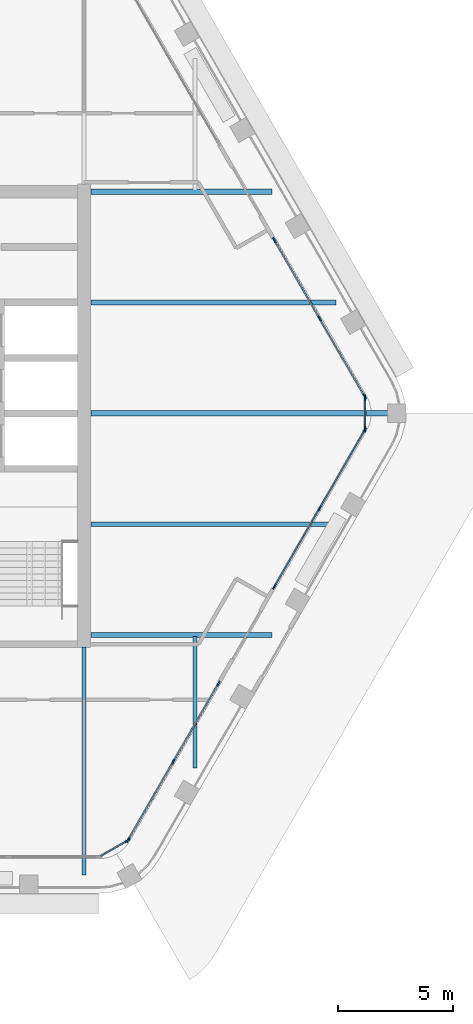
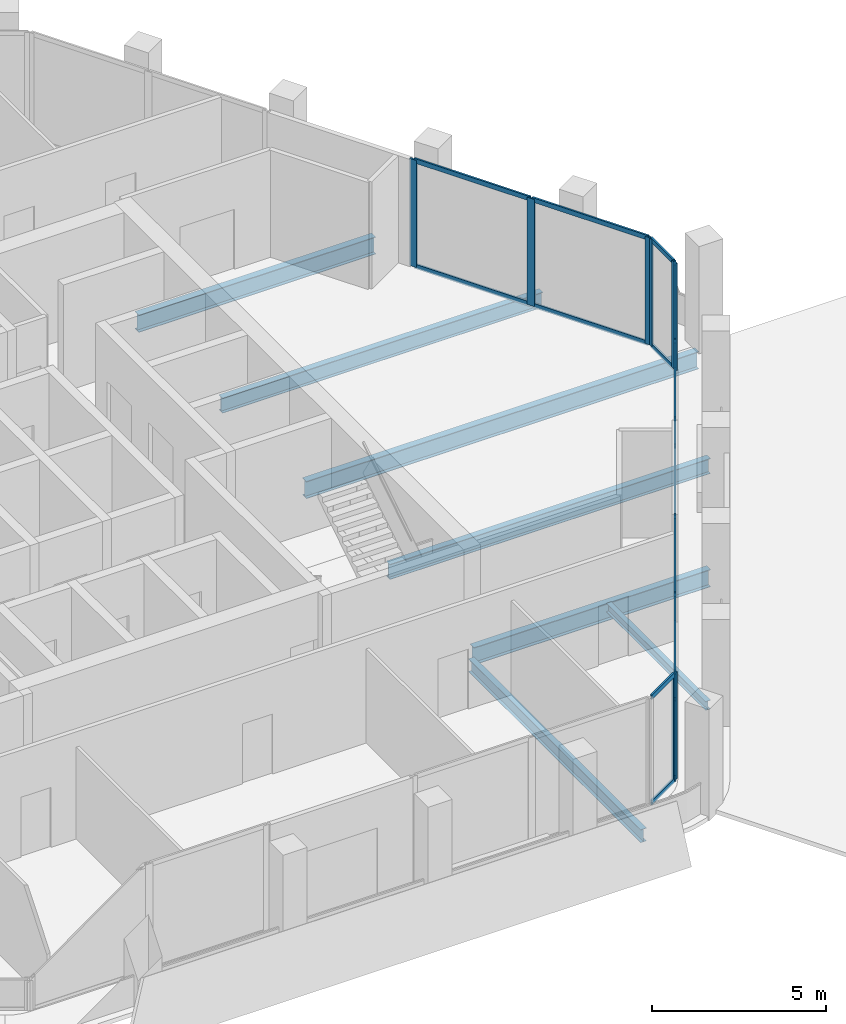
# One storey, part 4 of 14: 28 members, 7 beams, 5 elements without a shape of their own.
"""IFC4 building model written with IfcOpenShell, lengths in metres."""

from ifc_helpers import new_model, si_unit, direction, frame, origin, origin_2d, place, context, subcontext, project, spatial, rectangle, i_section, extrude, material, material_profile, profile_set, type_object, element, aggregate, save


model = new_model("IFC4")

# Units and contexts
model_context = context("Model", 3, precision=1e-05, world=origin(), true_north=direction((0.0, 1.0)))
body_context = subcontext(model_context, "Body", "Model", "MODEL_VIEW")
ifc_project = project(units=[si_unit("LENGTHUNIT", "METRE"), si_unit("AREAUNIT", "SQUARE_METRE"), si_unit("VOLUMEUNIT", "CUBIC_METRE"), si_unit("PLANEANGLEUNIT", "RADIAN"), si_unit("MASSUNIT", "GRAM", prefix="KILO")], contexts=[model_context])

# Site, building, storey
site_placement = place(None, origin())
site = spatial("IfcSite", under=ifc_project, at=site_placement, CompositionType="ELEMENT")
building_placement = place(site_placement, origin())
building = spatial("IfcBuilding", under=site, at=building_placement, Name="Kolab Exchange Tower", CompositionType="ELEMENT")
storey_placement = place(building_placement, frame((0.0, 0.0, 222.800048828125)))
storey = spatial("IfcBuildingStorey", under=building, at=storey_placement, Name="L48", CompositionType="ELEMENT", Elevation=222.800048828125)

# Beams
ifc_material_1 = material(Name="Steel S355", Category="steel")
ifc_material_profile_1 = material_profile(ifc_material_1, i_section(OverallWidth=0.1650390625, OverallDepth=0.31005859375, WebThickness=0.005859375, FlangeThickness=0.009765625, at=origin_2d()), Name="W310X39")
ifc_profile_set_1 = profile_set([ifc_material_profile_1], Name="Steel S355")
beam_type_1 = type_object("IfcBeamType", Name="FLOOR BEAM W310X39", PredefinedType="BEAM", material=ifc_profile_set_1)
beam_1_placement = place(storey_placement, frame((14.39990234375, -15.36767578125, -0.304931640625), z_axis=(0.0, 1.0, 0.0), x_axis=(-1.0, 0.0, 0.0)))
element("IfcBeam", 1, at=beam_1_placement, inside=storey, type_object=beam_type_1, Name="beam/L48/fr/022", PredefinedType="BEAM", context=body_context, shape_type="SweptSolid", body=[
    extrude(i_section(OverallWidth=0.1650390625, OverallDepth=0.31005859375, WebThickness=0.005859375, FlangeThickness=0.009765625, at=origin_2d()), origin(), (0.0, 0.0, 1.0), 5.693603515625),
])
ifc_material_profile_2 = material_profile(ifc_material_1, i_section(OverallWidth=0.18994140625, OverallDepth=0.45703125, WebThickness=0.009033203125, FlangeThickness=0.014404296875, at=origin_2d()), Name="W460X74")
ifc_profile_set_2 = profile_set([ifc_material_profile_2], Name="Steel S355")
beam_type_2 = type_object("IfcBeamType", Name="FLOOR BEAM W460X74", PredefinedType="BEAM", material=ifc_profile_set_2)
beam_2_placement = place(storey_placement, frame((9.60009765625, -19.982421875, -0.378662109375), z_axis=(0.0, 1.0, 0.0), x_axis=(-1.0, 0.0, 0.0)))
element("IfcBeam", 2, at=beam_2_placement, inside=storey, type_object=beam_type_2, Name="beam/L48/fr/017", PredefinedType="BEAM", context=body_context, shape_type="SweptSolid", body=[
    extrude(i_section(OverallWidth=0.18994140625, OverallDepth=0.45703125, WebThickness=0.009033203125, FlangeThickness=0.014404296875, at=origin_2d()), origin(), (0.0, 0.0, 1.0), 9.872314453125),
])
ifc_material_profile_3 = material_profile(ifc_material_1, i_section(OverallWidth=0.208984375, OverallDepth=0.532958984375, WebThickness=0.01025390625, FlangeThickness=0.015625, at=origin_2d()), Name="W530X92")
ifc_profile_set_3 = profile_set([ifc_material_profile_3], Name="Steel S355")
beam_type_3 = type_object("IfcBeamType", Name="FLOOR BEAM W530X92", PredefinedType="BEAM", material=ifc_profile_set_3)
for number, where, z_axis, x_axis, name in (
    (3, (9.909912109375, -4.800048828125, -0.41650390625), (1.0, 0.0, 0.0), (0.0, 1.0, 0.0), "beam/L48/fr/019"),
    (4, (9.909912109375, 4.800048828125, -0.41650390625), (1.0, 0.0, 0.0), (0.0, 1.0, 0.0), "beam/L48/fr/021"),
):
    element("IfcBeam", number, at=place(storey_placement, frame(where, z_axis=z_axis, x_axis=x_axis)), inside=storey, type_object=beam_type_3, Name=name, PredefinedType="BEAM", context=body_context, shape_type="SweptSolid", body=[
        extrude(i_section(OverallWidth=0.208984375, OverallDepth=0.532958984375, WebThickness=0.01025390625, FlangeThickness=0.015625, at=origin_2d()), origin(), (0.0, 0.0, 1.0), 10.6083984375),
    ])
ifc_material_profile_4 = material_profile(ifc_material_1, i_section(OverallWidth=0.22802734375, OverallDepth=0.60791015625, WebThickness=0.01123046875, FlangeThickness=0.017333984375, at=origin_2d()), Name="W610X113")
ifc_profile_set_4 = profile_set([ifc_material_profile_4], Name="Steel S355")
beam_type_4 = type_object("IfcBeamType", Name="FLOOR BEAM W610X113", PredefinedType="BEAM", material=ifc_profile_set_4)
beam_3_placement = place(storey_placement, frame((9.909912109375, 0.0, -0.4541015625), z_axis=(1.0, 0.0, 0.0), x_axis=(0.0, 1.0, 0.0)))
element("IfcBeam", 5, at=beam_3_placement, inside=storey, type_object=beam_type_4, Name="beam/L48/fr/020", PredefinedType="BEAM", context=body_context, shape_type="SweptSolid", body=[
    extrude(i_section(OverallWidth=0.22802734375, OverallDepth=0.60791015625, WebThickness=0.01123046875, FlangeThickness=0.017333984375, at=origin_2d()), origin(), (0.0, 0.0, 1.0), 12.9892578125),
])
ifc_material_profile_5 = material_profile(ifc_material_1, i_section(OverallWidth=0.22802734375, OverallDepth=0.60791015625, WebThickness=0.01123046875, FlangeThickness=0.017333984375, at=origin_2d()), Name="W610X113")
ifc_profile_set_5 = profile_set([ifc_material_profile_5], Name="Steel S355")
beam_type_5 = type_object("IfcBeamType", Name="FLOOR GIRDER W610X113", PredefinedType="BEAM", material=ifc_profile_set_5)
for number, where, z_axis, x_axis, name in (
    (6, (9.909912109375, -9.60009765625, -0.4541015625), (1.0, 0.0, 0.0), (0.0, 1.0, 0.0), "beam/L48/gd/002"),
    (7, (9.909912109375, 9.60009765625, -0.4541015625), (1.0, 0.0, 0.0), (0.0, 1.0, 0.0), "beam/L48/gd/003"),
):
    element("IfcBeam", number, at=place(storey_placement, frame(where, z_axis=z_axis, x_axis=x_axis)), inside=storey, type_object=beam_type_5, Name=name, PredefinedType="BEAM", context=body_context, shape_type="SweptSolid", body=[
        extrude(i_section(OverallWidth=0.22802734375, OverallDepth=0.60791015625, WebThickness=0.01123046875, FlangeThickness=0.017333984375, at=origin_2d()), origin(), (0.0, 0.0, 1.0), 7.8369140625),
    ])

# Curtain wall, members
ifc_material_2 = material(Name="Aluminium EN AW-6063 T6", Category="aluminium")
curtain_wall_type = type_object("IfcCurtainWallType", Name="UNITISED HIGH ZONE CURTAIN WALL", PredefinedType="NOTDEFINED", material=ifc_material_2)
curtain_wall_1_placement = place(storey_placement, origin())
curtain_wall_1 = element("IfcCurtainWall", 8, at=curtain_wall_1_placement, inside=storey, type_object=curtain_wall_type, Name="cw/L48/F2-2", PredefinedType="NOTDEFINED")
ifc_material_profile_6 = material_profile(ifc_material_2, rectangle(XDim=0.06005859375, YDim=0.239990234375, at=origin_2d()), Name="RECT 60X240")
ifc_profile_set_6 = profile_set([ifc_material_profile_6], Name="Aluminium EN AW-6063 T6")
member_type_1 = type_object("IfcMemberType", Name="UNITISED HIGH ZONE MULLION 60 X 240", PredefinedType="MULLION", material=ifc_profile_set_6)
member_1_placement = place(storey_placement, frame((17.8466796875, 7.497802734375, 0.0), z_axis=(0.0, 0.0, 1.0), x_axis=(0.866025440524, 0.499999936366, 0.0)))
member_1 = element("IfcMember", 9, at=member_1_placement, type_object=member_type_1, Name="CW4 mullion 1", PredefinedType="MULLION", context=body_context, shape_type="SweptSolid", body=[
    extrude(rectangle(XDim=0.06005859375, YDim=0.239990234375, at=origin_2d()), origin(), (0.0, 0.0, 1.0), 3.75),
])
member_2_placement = place(storey_placement, frame((19.798583984375, 4.116943359375, 0.0), z_axis=(0.0, 0.0, 1.0), x_axis=(0.866025440524, 0.499999936366, 0.0)))
member_2 = element("IfcMember", 10, at=member_2_placement, type_object=member_type_1, Name="CW4 mullion 2", PredefinedType="MULLION", context=body_context, shape_type="SweptSolid", body=[
    extrude(rectangle(XDim=0.06005859375, YDim=0.239990234375, at=origin_2d()), origin(), (0.0, 0.0, 1.0), 3.75),
])
member_3_placement = place(storey_placement, frame((21.750732421875, 0.736083984375, 0.0), z_axis=(0.0, 0.0, 1.0), x_axis=(0.866025440524, 0.499999936366, 0.0)))
member_3 = element("IfcMember", 11, at=member_3_placement, type_object=member_type_1, Name="CW4 mullion 3", PredefinedType="MULLION", context=body_context, shape_type="SweptSolid", body=[
    extrude(rectangle(XDim=0.06005859375, YDim=0.239990234375, at=origin_2d()), origin(), (0.0, 0.0, 1.0), 3.75),
])

curtain_wall_2_placement = place(storey_placement, origin())
curtain_wall_2 = element("IfcCurtainWall", 12, at=curtain_wall_2_placement, inside=storey, type_object=curtain_wall_type, Name="cw/L48/F3-1", PredefinedType="NOTDEFINED")
member_4_placement = place(storey_placement, frame((21.750732421875, -0.736083984375, 0.0), z_axis=(0.0, 0.0, 1.0), x_axis=(0.866025440524, -0.499999936366, 0.0)))
member_4 = element("IfcMember", 13, at=member_4_placement, type_object=member_type_1, Name="CW4 mullion 1", PredefinedType="MULLION", context=body_context, shape_type="SweptSolid", body=[
    extrude(rectangle(XDim=0.06005859375, YDim=0.239990234375, at=origin_2d()), origin(), (0.0, 0.0, 1.0), 3.75),
])
member_5_placement = place(storey_placement, frame((19.798583984375, -4.116943359375, 0.0), z_axis=(0.0, 0.0, 1.0), x_axis=(0.866025440524, -0.499999936366, 0.0)))
member_5 = element("IfcMember", 14, at=member_5_placement, type_object=member_type_1, Name="CW4 mullion 2", PredefinedType="MULLION", context=body_context, shape_type="SweptSolid", body=[
    extrude(rectangle(XDim=0.06005859375, YDim=0.239990234375, at=origin_2d()), origin(), (0.0, 0.0, 1.0), 3.75),
])
member_6_placement = place(storey_placement, frame((17.8466796875, -7.497802734375, 0.0), z_axis=(0.0, 0.0, 1.0), x_axis=(0.866025440524, -0.499999936366, 0.0)))
member_6 = element("IfcMember", 15, at=member_6_placement, type_object=member_type_1, Name="CW4 mullion 3", PredefinedType="MULLION", context=body_context, shape_type="SweptSolid", body=[
    extrude(rectangle(XDim=0.06005859375, YDim=0.239990234375, at=origin_2d()), origin(), (0.0, 0.0, 1.0), 3.75),
])

curtain_wall_3_placement = place(storey_placement, origin())
curtain_wall_3 = element("IfcCurtainWall", 16, at=curtain_wall_3_placement, inside=storey, type_object=curtain_wall_type, Name="cw/L48/F3-2", PredefinedType="NOTDEFINED")
member_7_placement = place(storey_placement, frame((15.416748046875, -11.706787109375, 0.0), z_axis=(0.0, 0.0, 1.0), x_axis=(0.866025385493, -0.500000031681, 0.0)))
member_7 = element("IfcMember", 17, at=member_7_placement, type_object=member_type_1, Name="CW4 mullion 1", PredefinedType="MULLION", context=body_context, shape_type="SweptSolid", body=[
    extrude(rectangle(XDim=0.06005859375, YDim=0.239990234375, at=origin_2d()), origin(), (0.0, 0.0, 1.0), 3.75),
])
member_8_placement = place(storey_placement, frame((13.464599609375, -15.087646484375, 0.0), z_axis=(0.0, 0.0, 1.0), x_axis=(0.866025385493, -0.500000031681, 0.0)))
member_8 = element("IfcMember", 18, at=member_8_placement, type_object=member_type_1, Name="CW4 mullion 2", PredefinedType="MULLION", context=body_context, shape_type="SweptSolid", body=[
    extrude(rectangle(XDim=0.06005859375, YDim=0.239990234375, at=origin_2d()), origin(), (0.0, 0.0, 1.0), 3.75),
])
member_9_placement = place(storey_placement, frame((11.5126953125, -18.46875, 0.0), z_axis=(0.0, 0.0, 1.0), x_axis=(0.866025385493, -0.500000031681, 0.0)))
member_9 = element("IfcMember", 19, at=member_9_placement, type_object=member_type_1, Name="CW4 mullion 3", PredefinedType="MULLION", context=body_context, shape_type="SweptSolid", body=[
    extrude(rectangle(XDim=0.06005859375, YDim=0.239990234375, at=origin_2d()), origin(), (0.0, 0.0, 1.0), 3.75),
])

curtain_wall_4_placement = place(storey_placement, origin())
curtain_wall_4 = element("IfcCurtainWall", 20, at=curtain_wall_4_placement, inside=storey, type_object=curtain_wall_type, Name="cw/L48/F2F3-corner", PredefinedType="NOTDEFINED")
member_10_placement = place(storey_placement, frame((21.765625, 0.679931640625, 0.0), z_axis=(0.0, 0.0, 1.0), x_axis=(1.0, 0.0, 0.0)))
member_10 = element("IfcMember", 21, at=member_10_placement, type_object=member_type_1, Name="CW4 mullion 1", PredefinedType="MULLION", context=body_context, shape_type="SweptSolid", body=[
    extrude(rectangle(XDim=0.06005859375, YDim=0.239990234375, at=origin_2d()), origin(), (0.0, 0.0, 1.0), 3.75),
])
member_11_placement = place(storey_placement, frame((21.765625, -0.679931640625, 0.0), z_axis=(0.0, 0.0, 1.0), x_axis=(1.0, 0.0, 0.0)))
member_11 = element("IfcMember", 22, at=member_11_placement, type_object=member_type_1, Name="CW4 mullion 2", PredefinedType="MULLION", context=body_context, shape_type="SweptSolid", body=[
    extrude(rectangle(XDim=0.06005859375, YDim=0.239990234375, at=origin_2d()), origin(), (0.0, 0.0, 1.0), 3.75),
])

# Curtain wall, member
curtain_wall_5_placement = place(storey_placement, origin())
curtain_wall_5 = element("IfcCurtainWall", 23, at=curtain_wall_5_placement, inside=storey, type_object=curtain_wall_type, Name="cw/L48/F3F4-corner", PredefinedType="NOTDEFINED")
member_12_placement = place(storey_placement, frame((11.4716796875, -18.509521484375, 0.0), z_axis=(0.0, 0.0, 1.0), x_axis=(0.50000002237, -0.866025390869, 0.0)))
member_12 = element("IfcMember", 24, at=member_12_placement, type_object=member_type_1, Name="CW4 mullion 1", PredefinedType="MULLION", context=body_context, shape_type="SweptSolid", body=[
    extrude(rectangle(XDim=0.06005859375, YDim=0.239990234375, at=origin_2d()), origin(), (0.0, 0.0, 1.0), 3.75),
])

# Member
ifc_material_profile_7 = material_profile(ifc_material_2, rectangle(XDim=0.06005859375, YDim=0.159912109375, at=origin_2d()), Name="RECT 60X160")
ifc_profile_set_7 = profile_set([ifc_material_profile_7], Name="Aluminium EN AW-6063 T6")
member_type_2 = type_object("IfcMemberType", Name="UNITISED HIGH ZONE TRANSOM 60 X 160", PredefinedType="USERDEFINED", material=ifc_profile_set_7)
member_13_placement = place(storey_placement, frame((17.861572265625, 7.471923828125, 0.030029296875), z_axis=(0.500011990396, -0.866018481016, 0.0), x_axis=(0.866018481016, 0.500011990396, 0.0)))
member_13 = element("IfcMember", 25, at=member_13_placement, type_object=member_type_2, Name="CW4 transom 1.1", ObjectType="TRANSOM", PredefinedType="USERDEFINED", context=body_context, shape_type="SweptSolid", body=[
    extrude(rectangle(XDim=0.06005859375, YDim=0.159912109375, at=origin_2d()), origin(), (0.0, 0.0, 1.0), 3.84423828125),
])

member_14_placement = place(storey_placement, frame((17.861572265625, 7.471923828125, 3.719970703125), z_axis=(0.500011990396, -0.866018481016, 0.0), x_axis=(0.866018481016, 0.500011990396, 0.0)))
member_14 = element("IfcMember", 26, at=member_14_placement, type_object=member_type_2, Name="CW4 transom 1.2", ObjectType="TRANSOM", PredefinedType="USERDEFINED", context=body_context, shape_type="SweptSolid", body=[
    extrude(rectangle(XDim=0.06005859375, YDim=0.159912109375, at=origin_2d()), origin(), (0.0, 0.0, 1.0), 3.84423828125),
])

member_15_placement = place(storey_placement, frame((19.813720703125, 4.0908203125, 0.030029296875), z_axis=(0.499991857942, -0.866030104553, 0.0), x_axis=(0.866030104553, 0.499991857942, 0.0)))
member_15 = element("IfcMember", 27, at=member_15_placement, type_object=member_type_2, Name="CW4 transom 2.1", ObjectType="TRANSOM", PredefinedType="USERDEFINED", context=body_context, shape_type="SweptSolid", body=[
    extrude(rectangle(XDim=0.06005859375, YDim=0.159912109375, at=origin_2d()), origin(), (0.0, 0.0, 1.0), 3.84375),
])

member_16_placement = place(storey_placement, frame((19.813720703125, 4.0908203125, 3.719970703125), z_axis=(0.499991857942, -0.866030104553, 0.0), x_axis=(0.866030104553, 0.499991857942, 0.0)))
member_16 = element("IfcMember", 28, at=member_16_placement, type_object=member_type_2, Name="CW4 transom 2.2", ObjectType="TRANSOM", PredefinedType="USERDEFINED", context=body_context, shape_type="SweptSolid", body=[
    extrude(rectangle(XDim=0.06005859375, YDim=0.159912109375, at=origin_2d()), origin(), (0.0, 0.0, 1.0), 3.84375),
])

aggregate(curtain_wall_1, [member_1, member_2, member_3, member_13, member_14, member_15, member_16])

member_17_placement = place(storey_placement, frame((21.735595703125, -0.761962890625, 0.030029296875), z_axis=(-0.499991857942, -0.866030104553, 0.0), x_axis=(0.866030104553, -0.499991857942, 0.0)))
member_17 = element("IfcMember", 29, at=member_17_placement, type_object=member_type_2, Name="CW4 transom 1.1", ObjectType="TRANSOM", PredefinedType="USERDEFINED", context=body_context, shape_type="SweptSolid", body=[
    extrude(rectangle(XDim=0.06005859375, YDim=0.159912109375, at=origin_2d()), origin(), (0.0, 0.0, 1.0), 3.84375),
])

member_18_placement = place(storey_placement, frame((21.735595703125, -0.761962890625, 3.719970703125), z_axis=(-0.499991857942, -0.866030104553, 0.0), x_axis=(0.866030104553, -0.499991857942, 0.0)))
member_18 = element("IfcMember", 30, at=member_18_placement, type_object=member_type_2, Name="CW4 transom 1.2", ObjectType="TRANSOM", PredefinedType="USERDEFINED", context=body_context, shape_type="SweptSolid", body=[
    extrude(rectangle(XDim=0.06005859375, YDim=0.159912109375, at=origin_2d()), origin(), (0.0, 0.0, 1.0), 3.84375),
])

member_19_placement = place(storey_placement, frame((19.78369140625, -4.142822265625, 0.030029296875), z_axis=(-0.500011990396, -0.866018481016, 0.0), x_axis=(0.866018481016, -0.500011990396, 0.0)))
member_19 = element("IfcMember", 31, at=member_19_placement, type_object=member_type_2, Name="CW4 transom 2.1", ObjectType="TRANSOM", PredefinedType="USERDEFINED", context=body_context, shape_type="SweptSolid", body=[
    extrude(rectangle(XDim=0.06005859375, YDim=0.159912109375, at=origin_2d()), origin(), (0.0, 0.0, 1.0), 3.84423828125),
])

member_20_placement = place(storey_placement, frame((19.78369140625, -4.142822265625, 3.719970703125), z_axis=(-0.500011990396, -0.866018481016, 0.0), x_axis=(0.866018481016, -0.500011990396, 0.0)))
member_20 = element("IfcMember", 32, at=member_20_placement, type_object=member_type_2, Name="CW4 transom 2.2", ObjectType="TRANSOM", PredefinedType="USERDEFINED", context=body_context, shape_type="SweptSolid", body=[
    extrude(rectangle(XDim=0.06005859375, YDim=0.159912109375, at=origin_2d()), origin(), (0.0, 0.0, 1.0), 3.84423828125),
])

aggregate(curtain_wall_2, [member_4, member_5, member_6, member_17, member_18, member_19, member_20])

member_21_placement = place(storey_placement, frame((15.401611328125, -11.732666015625, 0.030029296875), z_axis=(-0.499964356602, -0.866045981532, 0.0), x_axis=(0.866045981532, -0.499964356602, 0.0)))
member_21 = element("IfcMember", 33, at=member_21_placement, type_object=member_type_2, Name="CW4 transom 1.1", ObjectType="TRANSOM", PredefinedType="USERDEFINED", context=body_context, shape_type="SweptSolid", body=[
    extrude(rectangle(XDim=0.06005859375, YDim=0.159912109375, at=origin_2d()), origin(), (0.0, 0.0, 1.0), 3.843994140625),
])

member_22_placement = place(storey_placement, frame((15.401611328125, -11.732666015625, 3.719970703125), z_axis=(-0.499964356602, -0.866045981532, 0.0), x_axis=(0.866045981532, -0.499964356602, 0.0)))
member_22 = element("IfcMember", 34, at=member_22_placement, type_object=member_type_2, Name="CW4 transom 1.2", ObjectType="TRANSOM", PredefinedType="USERDEFINED", context=body_context, shape_type="SweptSolid", body=[
    extrude(rectangle(XDim=0.06005859375, YDim=0.159912109375, at=origin_2d()), origin(), (0.0, 0.0, 1.0), 3.843994140625),
])

member_23_placement = place(storey_placement, frame((13.44970703125, -15.11376953125, 0.030029296875), z_axis=(-0.500039492609, -0.866002601515, 0.0), x_axis=(0.866002601515, -0.500039492609, 0.0)))
member_23 = element("IfcMember", 35, at=member_23_placement, type_object=member_type_2, Name="CW4 transom 2.1", ObjectType="TRANSOM", PredefinedType="USERDEFINED", context=body_context, shape_type="SweptSolid", body=[
    extrude(rectangle(XDim=0.06005859375, YDim=0.159912109375, at=origin_2d()), origin(), (0.0, 0.0, 1.0), 3.843994140625),
])

member_24_placement = place(storey_placement, frame((13.44970703125, -15.11376953125, 3.719970703125), z_axis=(-0.500039492609, -0.866002601515, 0.0), x_axis=(0.866002601515, -0.500039492609, 0.0)))
member_24 = element("IfcMember", 36, at=member_24_placement, type_object=member_type_2, Name="CW4 transom 2.2", ObjectType="TRANSOM", PredefinedType="USERDEFINED", context=body_context, shape_type="SweptSolid", body=[
    extrude(rectangle(XDim=0.06005859375, YDim=0.159912109375, at=origin_2d()), origin(), (0.0, 0.0, 1.0), 3.843994140625),
])

aggregate(curtain_wall_3, [member_7, member_8, member_9, member_21, member_22, member_23, member_24])

member_25_placement = place(storey_placement, frame((21.765625, 0.64990234375, 0.030029296875), z_axis=(0.0, -1.0, 0.0), x_axis=(1.0, 0.0, 0.0)))
member_25 = element("IfcMember", 37, at=member_25_placement, type_object=member_type_2, Name="CW4 transom 1.1", ObjectType="TRANSOM", PredefinedType="USERDEFINED", context=body_context, shape_type="SweptSolid", body=[
    extrude(rectangle(XDim=0.06005859375, YDim=0.159912109375, at=origin_2d()), origin(), (0.0, 0.0, 1.0), 1.2998046875),
])

member_26_placement = place(storey_placement, frame((21.765625, 0.64990234375, 3.719970703125), z_axis=(0.0, -1.0, 0.0), x_axis=(1.0, 0.0, 0.0)))
member_26 = element("IfcMember", 38, at=member_26_placement, type_object=member_type_2, Name="CW4 transom 1.2", ObjectType="TRANSOM", PredefinedType="USERDEFINED", context=body_context, shape_type="SweptSolid", body=[
    extrude(rectangle(XDim=0.06005859375, YDim=0.159912109375, at=origin_2d()), origin(), (0.0, 0.0, 1.0), 1.2998046875),
])

aggregate(curtain_wall_4, [member_10, member_11, member_25, member_26])

member_27_placement = place(storey_placement, frame((11.44580078125, -18.524658203125, 0.030029296875), z_axis=(-0.866085525409, -0.49989585183, 0.0), x_axis=(0.49989585183, -0.866085525409, 0.0)))
member_27 = element("IfcMember", 39, at=member_27_placement, type_object=member_type_2, Name="CW4 transom 1.1", ObjectType="TRANSOM", PredefinedType="USERDEFINED", context=body_context, shape_type="SweptSolid", body=[
    extrude(rectangle(XDim=0.06005859375, YDim=0.159912109375, at=origin_2d()), origin(), (0.0, 0.0, 1.0), 1.300048828125),
])

member_28_placement = place(storey_placement, frame((11.44580078125, -18.524658203125, 3.719970703125), z_axis=(-0.866085525409, -0.49989585183, 0.0), x_axis=(0.49989585183, -0.866085525409, 0.0)))
member_28 = element("IfcMember", 40, at=member_28_placement, type_object=member_type_2, Name="CW4 transom 1.2", ObjectType="TRANSOM", PredefinedType="USERDEFINED", context=body_context, shape_type="SweptSolid", body=[
    extrude(rectangle(XDim=0.06005859375, YDim=0.159912109375, at=origin_2d()), origin(), (0.0, 0.0, 1.0), 1.300048828125),
])

aggregate(curtain_wall_5, [member_12, member_27, member_28])

save(model, "model.ifc")
